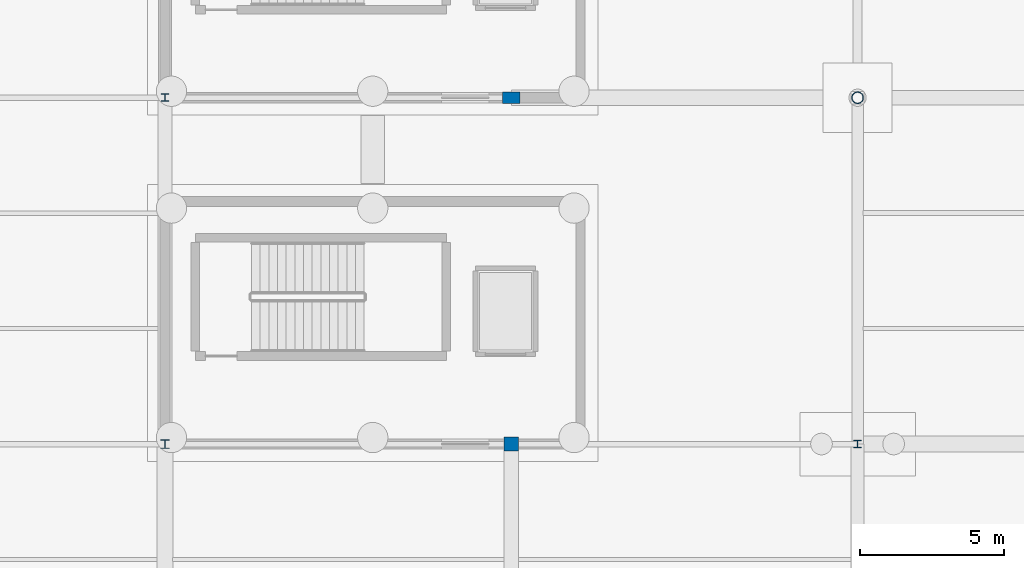
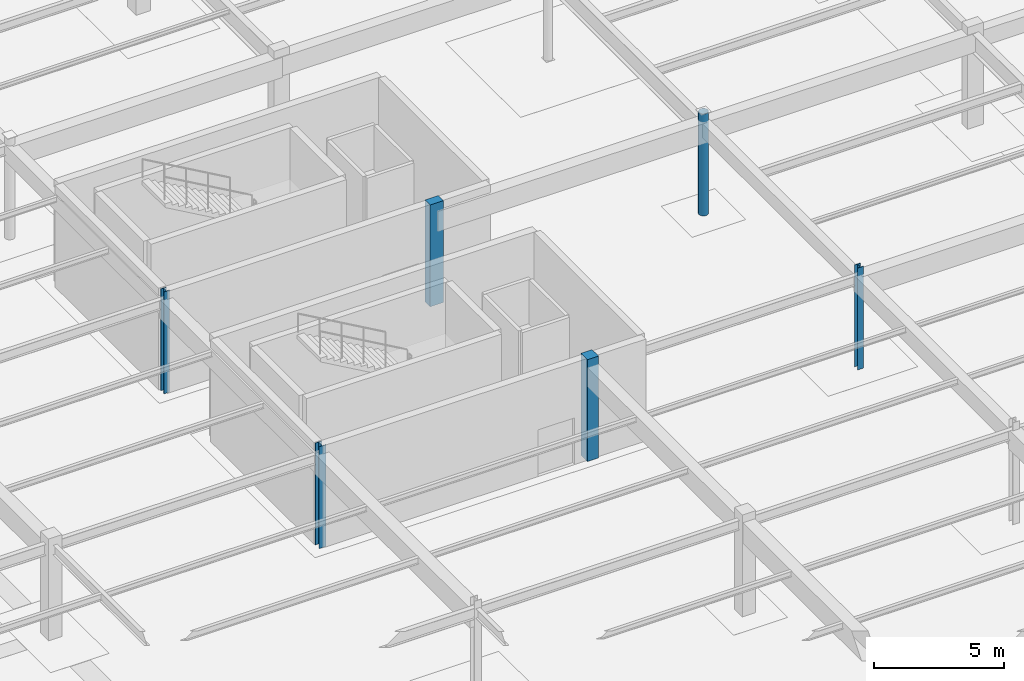
# One storey, part 29 of 136: 6 columns.
"""IFC4 building model written with IfcOpenShell, lengths in metres."""

from ifc_helpers import new_model, si_unit, direction, frame, origin, origin_2d, place, context, subcontext, project, spatial, rectangle, hollow_circle, i_section, extrude, material, material_profile, profile_set, type_object, element, save


model = new_model("IFC4")

# Units and contexts
model_context = context("Model", 3, precision=1e-05, world=origin(), true_north=direction((0.0, 1.0)))
body_context = subcontext(model_context, "Body", "Model", "MODEL_VIEW")
ifc_project = project(units=[si_unit("LENGTHUNIT", "METRE"), si_unit("AREAUNIT", "SQUARE_METRE"), si_unit("VOLUMEUNIT", "CUBIC_METRE"), si_unit("PLANEANGLEUNIT", "RADIAN"), si_unit("MASSUNIT", "GRAM", prefix="KILO")], contexts=[model_context])

# Site, building, storey
site_placement = place(None, origin())
site = spatial("IfcSite", under=ifc_project, at=site_placement, CompositionType="ELEMENT")
building_placement = place(site_placement, origin())
building = spatial("IfcBuilding", under=site, at=building_placement, Name="Tarnwether General Hospital", CompositionType="ELEMENT")
storey_placement = place(building_placement, frame((0.0, 0.0, -4.800048828125)))
storey = spatial("IfcBuildingStorey", under=building, at=storey_placement, Name="LG", CompositionType="ELEMENT", Elevation=-4.800048828125)

# Columns
ifc_material_1 = material(Name="Steel Grade 350 (350 MPa)", Category="steel")
ifc_material_profile_1 = material_profile(ifc_material_1, i_section(OverallWidth=0.304931640625, OverallDepth=0.30810546875, WebThickness=0.010009765625, FlangeThickness=0.015380859375, at=origin_2d()), Name="310UC96.8")
ifc_profile_set_1 = profile_set([ifc_material_profile_1], Name="Steel Grade 350 (350 MPa)")
column_type_1 = type_object("IfcColumnType", Name="COL-08", PredefinedType="COLUMN", material=ifc_profile_set_1)
column_1_placement = place(storey_placement, frame((24.0, 69.60009765625, 0.0), z_axis=(0.0, 0.0, 1.0), x_axis=(1.0, 0.0, 0.0)))
element("IfcColumn", 1, at=column_1_placement, inside=storey, type_object=column_type_1, Name="Column COLG-LG-2400_6960", PredefinedType="COLUMN", context=body_context, shape_type="SweptSolid", body=[
    extrude(i_section(OverallWidth=0.304931640625, OverallDepth=0.30810546875, WebThickness=0.010009765625, FlangeThickness=0.015380859375, at=origin_2d()), origin(), (0.0, 0.0, 1.0), 4.800048828125),
])
ifc_material_2 = material(Name="Steel Grade 350 (350 MPa)", Category="steel")
ifc_material_profile_2 = material_profile(ifc_material_2, i_section(OverallWidth=0.256103515625, OverallDepth=0.260009765625, WebThickness=0.010498046875, FlangeThickness=0.017333984375, at=origin_2d()), Name="250UC89.5")
ifc_profile_set_2 = profile_set([ifc_material_profile_2], Name="Steel Grade 350 (350 MPa)")
column_type_2 = type_object("IfcColumnType", Name="COL-09", PredefinedType="COLUMN", material=ifc_profile_set_2)
for number, where, z_axis, x_axis, name in (
    (2, (24.0, 81.60009765625, 0.0), (0.0, 0.0, 1.0), (1.0, 0.0, 0.0), "Column COLG-LG-2400_8160"),
    (3, (48.0, 69.60009765625, 0.0), (0.0, 0.0, 1.0), (1.0, 0.0, 0.0), "Column COLG-LG-4800_6960"),
):
    element("IfcColumn", number, at=place(storey_placement, frame(where, z_axis=z_axis, x_axis=x_axis)), inside=storey, type_object=column_type_2, Name=name, PredefinedType="COLUMN", context=body_context, shape_type="SweptSolid", body=[
        extrude(i_section(OverallWidth=0.256103515625, OverallDepth=0.260009765625, WebThickness=0.010498046875, FlangeThickness=0.017333984375, at=origin_2d()), origin(), (0.0, 0.0, 1.0), 4.800048828125),
    ])
ifc_material_3 = material(Name="Steel Grade C350L0 (350 MPa)", Category="steel")
ifc_material_profile_3 = material_profile(ifc_material_3, hollow_circle(Radius=0.203125, WallThickness=0.01611328125, at=origin_2d()), Name="CHS406.4x16.0")
ifc_profile_set_3 = profile_set([ifc_material_profile_3], Name="Steel Grade C350L0 (350 MPa)")
column_type_3 = type_object("IfcColumnType", Name="COL-10", PredefinedType="COLUMN", material=ifc_profile_set_3)
column_2_placement = place(storey_placement, frame((48.0, 81.60009765625, 0.0), z_axis=(0.0, 0.0, 1.0), x_axis=(1.0, 0.0, 0.0)))
element("IfcColumn", 4, at=column_2_placement, inside=storey, type_object=column_type_3, Name="Column COLG-LG-4800_8160", PredefinedType="COLUMN", context=body_context, shape_type="SweptSolid", body=[
    extrude(hollow_circle(Radius=0.203125, WallThickness=0.01611328125, at=origin_2d()), origin(), (0.0, 0.0, 1.0), 4.800048828125),
])
ifc_material_4 = material(Name="Concrete 50 MPa", Category="concrete")
ifc_material_profile_4 = material_profile(ifc_material_4, rectangle(XDim=0.5, YDim=0.5, at=origin_2d()), Name="RC-COL-500x500")
ifc_profile_set_4 = profile_set([ifc_material_profile_4], Name="Concrete 50 MPa")
column_type_4 = type_object("IfcColumnType", Name="COL-20", PredefinedType="COLUMN", material=ifc_profile_set_4)
column_3_placement = place(storey_placement, frame((36.0, 69.60009765625, 0.0), z_axis=(0.0, 0.0, 1.0), x_axis=(0.0, 1.0, 0.0)))
element("IfcColumn", 5, at=column_3_placement, inside=storey, type_object=column_type_4, Name="Column COLG-LG-3600_6960", PredefinedType="COLUMN", context=body_context, shape_type="SweptSolid", body=[
    extrude(rectangle(XDim=0.5, YDim=0.5, at=origin_2d()), origin(), (0.0, 0.0, 1.0), 4.800048828125),
])
ifc_material_5 = material(Name="Concrete 50 MPa", Category="concrete")
ifc_material_profile_5 = material_profile(ifc_material_5, rectangle(XDim=0.39990234375, YDim=0.60009765625, at=origin_2d()), Name="RC-PIL-400x600")
ifc_profile_set_5 = profile_set([ifc_material_profile_5], Name="Concrete 50 MPa")
column_type_5 = type_object("IfcColumnType", Name="COL-21", PredefinedType="PILASTER", material=ifc_profile_set_5)
column_4_placement = place(storey_placement, frame((36.0, 81.60009765625, 0.0), z_axis=(0.0, 0.0, 1.0), x_axis=(0.0, 1.0, 0.0)))
element("IfcColumn", 6, at=column_4_placement, inside=storey, type_object=column_type_5, Name="Column COLG-LG-3600_8160", PredefinedType="PILASTER", context=body_context, shape_type="SweptSolid", body=[
    extrude(rectangle(XDim=0.39990234375, YDim=0.60009765625, at=origin_2d()), origin(), (0.0, 0.0, 1.0), 4.800048828125),
])

save(model, "model.ifc")
